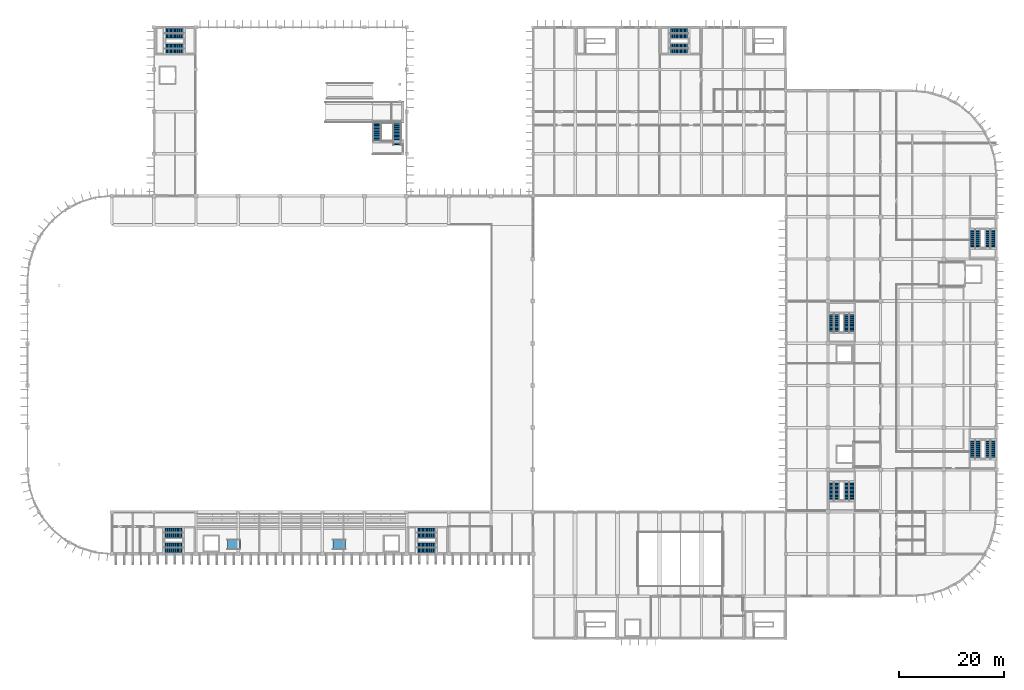
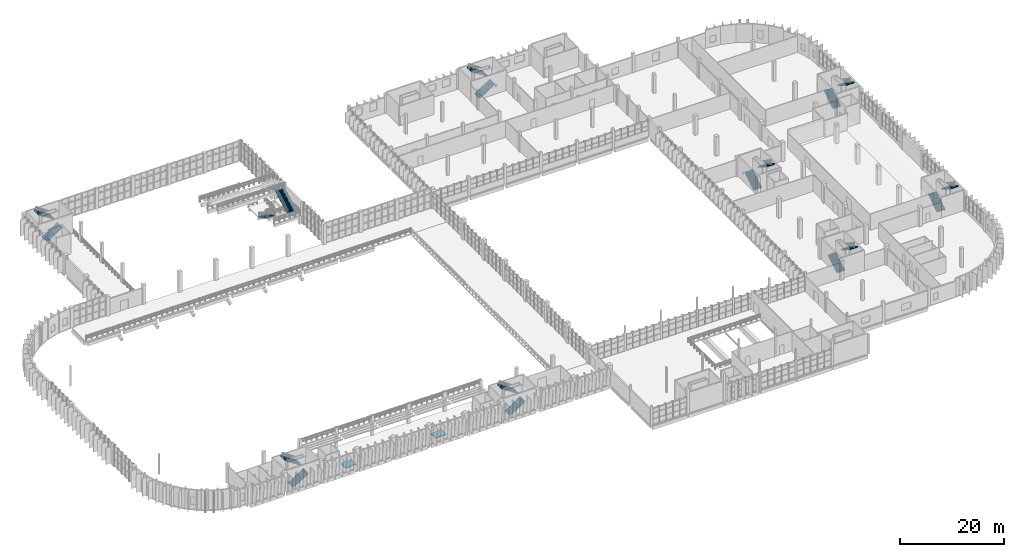
# One storey, part 78 of 93: 18 stair flights, 2 ramp flights, 11 elements without a shape of their own.
"""IFC4 building model written with IfcOpenShell, lengths in metres."""

from ifc_helpers import new_model, si_unit, direction, frame, origin, place, context, subcontext, project, spatial, polyline, outline, extrude, material, layer, layer_set, type_object, element, aggregate, save


model = new_model("IFC4")

# Units and contexts
model_context = context("Model", 3, precision=1e-05, world=origin(), true_north=direction((0.0, 1.0)))
body_context = subcontext(model_context, "Body", "Model", "MODEL_VIEW")
ifc_project = project(units=[si_unit("LENGTHUNIT", "METRE"), si_unit("AREAUNIT", "SQUARE_METRE"), si_unit("VOLUMEUNIT", "CUBIC_METRE"), si_unit("PLANEANGLEUNIT", "RADIAN"), si_unit("MASSUNIT", "GRAM", prefix="KILO")], contexts=[model_context])

# Site, building, storey
site_placement = place(None, origin())
site = spatial("IfcSite", under=ifc_project, at=site_placement, CompositionType="ELEMENT")
building_placement = place(site_placement, origin())
building = spatial("IfcBuilding", under=site, at=building_placement, Name="Drelvana Railside Aquatics Centre", CompositionType="ELEMENT")
storey_placement = place(building_placement, frame((0.0, 0.0, 5.39990234375)))
storey = spatial("IfcBuildingStorey", under=building, at=storey_placement, Name="L01", CompositionType="ELEMENT", Elevation=5.39990234375)

# Stair, stair flights
ifc_material = material(Name="Concrete C40/50", Category="concrete")
stair_type_1 = type_object("IfcStairType", Name="ST-CORE-TYP", PredefinedType="HALF_TURN_STAIR", material=ifc_material)
stair_1_placement = place(storey_placement, origin())
stair_1 = element("IfcStair", 1, at=stair_1_placement, inside=storey, type_object=stair_type_1, Name="Exit stair ST-01 (L01 to L02)", PredefinedType="HALF_TURN_STAIR")
stair_flight_type_1 = type_object("IfcStairFlightType", Name="ST-CORE-TYP-FL", PredefinedType="STRAIGHT", material=ifc_material)
stair_flight_1_placement = place(storey_placement, frame((25.969970703125, 17.175048828125, 0.0), z_axis=(0.0, 0.0, 1.0), x_axis=(1.0, 0.0, 0.0)))
stair_flight_1 = element("IfcStairFlight", 2, at=stair_flight_1_placement, type_object=stair_flight_type_1, Name="ST-TP flight 1", NumberOfRisers=15, NumberOfTreads=14, PredefinedType="STRAIGHT", RiserHeight=0.16, TreadLength=0.25, context=body_context, shape_type="SweptSolid", body=[
    extrude(outline(polyline([(0.0, 0.0), (0.0, 0.159912109375), (0.25, 0.159912109375), (0.25, 0.320068359375), (0.5, 0.320068359375), (0.5, 0.47998046875), (0.75, 0.47998046875), (0.75, 0.639892578125), (1.0, 0.639892578125), (1.0, 0.800048828125), (1.25, 0.800048828125), (1.25, 0.9599609375), (1.5, 0.9599609375), (1.5, 1.1201171875), (1.75, 1.1201171875), (1.75, 1.280029296875), (2.0, 1.280029296875), (2.0, 1.43994140625), (2.25, 1.43994140625), (2.25, 1.60009765625), (2.5, 1.60009765625), (2.5, 1.760009765625), (2.75, 1.760009765625), (2.75, 1.919921875), (3.0, 1.919921875), (3.0, 2.080078125), (3.25, 2.080078125), (3.25, 2.239990234375), (3.5, 2.239990234375), (3.5, 2.39990234375), (3.5, 2.002685546875), (0.370849609375, 0.0), (0.0, 0.0)])), frame((0.0, 0.925048828125, 0.0), z_axis=(0.0, -1.0, 0.0), x_axis=(1.0, 0.0, 0.0)), (0.0, 0.0, 1.0), 1.85009765625),
])
stair_flight_2_placement = place(storey_placement, frame((29.469970703125, 20.02490234375, 2.400146484375), z_axis=(0.0, 0.0, 1.0), x_axis=(-1.0, 0.0, 0.0)))
stair_flight_2 = element("IfcStairFlight", 3, at=stair_flight_2_placement, type_object=stair_flight_type_1, Name="ST-TP flight 2", NumberOfRisers=15, NumberOfTreads=14, PredefinedType="STRAIGHT", RiserHeight=0.16, TreadLength=0.25, context=body_context, shape_type="SweptSolid", body=[
    extrude(outline(polyline([(0.0, 0.0), (0.0, 0.159912109375), (0.25, 0.159912109375), (0.25, 0.320068359375), (0.5, 0.320068359375), (0.5, 0.47998046875), (0.75, 0.47998046875), (0.75, 0.639892578125), (1.0, 0.639892578125), (1.0, 0.800048828125), (1.25, 0.800048828125), (1.25, 0.9599609375), (1.5, 0.9599609375), (1.5, 1.1201171875), (1.75, 1.1201171875), (1.75, 1.280029296875), (2.0, 1.280029296875), (2.0, 1.43994140625), (2.25, 1.43994140625), (2.25, 1.60009765625), (2.5, 1.60009765625), (2.5, 1.760009765625), (2.75, 1.760009765625), (2.75, 1.919921875), (3.0, 1.919921875), (3.0, 2.080078125), (3.25, 2.080078125), (3.25, 2.239990234375), (3.5, 2.239990234375), (3.5, 2.39990234375), (3.5, 2.002685546875), (0.370849609375, 0.0), (0.0, 0.0)])), frame((0.0, 0.925048828125, 0.0), z_axis=(0.0, -1.0, 0.0), x_axis=(1.0, 0.0, 0.0)), (0.0, 0.0, 1.0), 1.85009765625),
])
aggregate(stair_1, [stair_flight_1, stair_flight_2])

stair_2_placement = place(storey_placement, origin())
stair_2 = element("IfcStair", 4, at=stair_2_placement, inside=storey, type_object=stair_type_1, Name="Exit stair ST-02 (L01 to L02)", PredefinedType="HALF_TURN_STAIR")
stair_flight_3_placement = place(storey_placement, frame((73.969970703125, 17.175048828125, 0.0), z_axis=(0.0, 0.0, 1.0), x_axis=(1.0, 0.0, 0.0)))
stair_flight_3 = element("IfcStairFlight", 5, at=stair_flight_3_placement, type_object=stair_flight_type_1, Name="ST-TP flight 1", NumberOfRisers=15, NumberOfTreads=14, PredefinedType="STRAIGHT", RiserHeight=0.16, TreadLength=0.25, context=body_context, shape_type="SweptSolid", body=[
    extrude(outline(polyline([(0.0, 0.0), (0.0, 0.159912109375), (0.25, 0.159912109375), (0.25, 0.320068359375), (0.5, 0.320068359375), (0.5, 0.47998046875), (0.75, 0.47998046875), (0.75, 0.639892578125), (1.0, 0.639892578125), (1.0, 0.800048828125), (1.25, 0.800048828125), (1.25, 0.9599609375), (1.5, 0.9599609375), (1.5, 1.1201171875), (1.75, 1.1201171875), (1.75, 1.280029296875), (2.0, 1.280029296875), (2.0, 1.43994140625), (2.25, 1.43994140625), (2.25, 1.60009765625), (2.5, 1.60009765625), (2.5, 1.760009765625), (2.75, 1.760009765625), (2.75, 1.919921875), (3.0, 1.919921875), (3.0, 2.080078125), (3.25, 2.080078125), (3.25, 2.239990234375), (3.5, 2.239990234375), (3.5, 2.39990234375), (3.5, 2.002685546875), (0.370849609375, 0.0), (0.0, 0.0)])), frame((0.0, 0.925048828125, 0.0), z_axis=(0.0, -1.0, 0.0), x_axis=(1.0, 0.0, 0.0)), (0.0, 0.0, 1.0), 1.85009765625),
])
stair_flight_4_placement = place(storey_placement, frame((77.469970703125, 20.02490234375, 2.400146484375), z_axis=(0.0, 0.0, 1.0), x_axis=(-1.0, 0.0, 0.0)))
stair_flight_4 = element("IfcStairFlight", 6, at=stair_flight_4_placement, type_object=stair_flight_type_1, Name="ST-TP flight 2", NumberOfRisers=15, NumberOfTreads=14, PredefinedType="STRAIGHT", RiserHeight=0.16, TreadLength=0.25, context=body_context, shape_type="SweptSolid", body=[
    extrude(outline(polyline([(0.0, 0.0), (0.0, 0.159912109375), (0.25, 0.159912109375), (0.25, 0.320068359375), (0.5, 0.320068359375), (0.5, 0.47998046875), (0.75, 0.47998046875), (0.75, 0.639892578125), (1.0, 0.639892578125), (1.0, 0.800048828125), (1.25, 0.800048828125), (1.25, 0.9599609375), (1.5, 0.9599609375), (1.5, 1.1201171875), (1.75, 1.1201171875), (1.75, 1.280029296875), (2.0, 1.280029296875), (2.0, 1.43994140625), (2.25, 1.43994140625), (2.25, 1.60009765625), (2.5, 1.60009765625), (2.5, 1.760009765625), (2.75, 1.760009765625), (2.75, 1.919921875), (3.0, 1.919921875), (3.0, 2.080078125), (3.25, 2.080078125), (3.25, 2.239990234375), (3.5, 2.239990234375), (3.5, 2.39990234375), (3.5, 2.002685546875), (0.370849609375, 0.0), (0.0, 0.0)])), frame((0.0, 0.925048828125, 0.0), z_axis=(0.0, -1.0, 0.0), x_axis=(1.0, 0.0, 0.0)), (0.0, 0.0, 1.0), 1.85009765625),
])
aggregate(stair_2, [stair_flight_3, stair_flight_4])

stair_3_placement = place(storey_placement, origin())
stair_3 = element("IfcStair", 7, at=stair_3_placement, inside=storey, type_object=stair_type_1, Name="Exit stair ST-05 (L01 to L02)", PredefinedType="HALF_TURN_STAIR")
stair_flight_5_placement = place(storey_placement, frame((121.969970703125, 111.97509765625, 0.0), z_axis=(0.0, 0.0, 1.0), x_axis=(1.0, 0.0, 0.0)))
stair_flight_5 = element("IfcStairFlight", 8, at=stair_flight_5_placement, type_object=stair_flight_type_1, Name="ST-TP flight 1", NumberOfRisers=15, NumberOfTreads=14, PredefinedType="STRAIGHT", RiserHeight=0.16, TreadLength=0.25, context=body_context, shape_type="SweptSolid", body=[
    extrude(outline(polyline([(0.0, 0.0), (0.0, 0.159912109375), (0.25, 0.159912109375), (0.25, 0.320068359375), (0.5, 0.320068359375), (0.5, 0.47998046875), (0.75, 0.47998046875), (0.75, 0.639892578125), (1.0, 0.639892578125), (1.0, 0.800048828125), (1.25, 0.800048828125), (1.25, 0.9599609375), (1.5, 0.9599609375), (1.5, 1.1201171875), (1.75, 1.1201171875), (1.75, 1.280029296875), (2.0, 1.280029296875), (2.0, 1.43994140625), (2.25, 1.43994140625), (2.25, 1.60009765625), (2.5, 1.60009765625), (2.5, 1.760009765625), (2.75, 1.760009765625), (2.75, 1.919921875), (3.0, 1.919921875), (3.0, 2.080078125), (3.25, 2.080078125), (3.25, 2.239990234375), (3.5, 2.239990234375), (3.5, 2.39990234375), (3.5, 2.002685546875), (0.370849609375, 0.0), (0.0, 0.0)])), frame((0.0, 0.925048828125, 0.0), z_axis=(0.0, -1.0, 0.0), x_axis=(1.0, 0.0, 0.0)), (0.0, 0.0, 1.0), 1.85009765625),
])
stair_flight_6_placement = place(storey_placement, frame((125.469970703125, 114.824951171875, 2.400146484375), z_axis=(0.0, 0.0, 1.0), x_axis=(-1.0, 0.0, 0.0)))
stair_flight_6 = element("IfcStairFlight", 9, at=stair_flight_6_placement, type_object=stair_flight_type_1, Name="ST-TP flight 2", NumberOfRisers=15, NumberOfTreads=14, PredefinedType="STRAIGHT", RiserHeight=0.16, TreadLength=0.25, context=body_context, shape_type="SweptSolid", body=[
    extrude(outline(polyline([(0.0, 0.0), (0.0, 0.159912109375), (0.25, 0.159912109375), (0.25, 0.320068359375), (0.5, 0.320068359375), (0.5, 0.47998046875), (0.75, 0.47998046875), (0.75, 0.639892578125), (1.0, 0.639892578125), (1.0, 0.800048828125), (1.25, 0.800048828125), (1.25, 0.9599609375), (1.5, 0.9599609375), (1.5, 1.1201171875), (1.75, 1.1201171875), (1.75, 1.280029296875), (2.0, 1.280029296875), (2.0, 1.43994140625), (2.25, 1.43994140625), (2.25, 1.60009765625), (2.5, 1.60009765625), (2.5, 1.760009765625), (2.75, 1.760009765625), (2.75, 1.919921875), (3.0, 1.919921875), (3.0, 2.080078125), (3.25, 2.080078125), (3.25, 2.239990234375), (3.5, 2.239990234375), (3.5, 2.39990234375), (3.5, 2.002685546875), (0.370849609375, 0.0), (0.0, 0.0)])), frame((0.0, 0.925048828125, 0.0), z_axis=(0.0, -1.0, 0.0), x_axis=(1.0, 0.0, 0.0)), (0.0, 0.0, 1.0), 1.85009765625),
])
aggregate(stair_3, [stair_flight_5, stair_flight_6])

stair_type_2 = type_object("IfcStairType", Name="ST-CORE-W160", PredefinedType="HALF_TURN_STAIR", material=ifc_material)
stair_4_placement = place(storey_placement, origin())
stair_4 = element("IfcStair", 10, at=stair_4_placement, inside=storey, type_object=stair_type_2, Name="Exit stair ST-03 (L01 to L02)", PredefinedType="HALF_TURN_STAIR")
stair_flight_type_2 = type_object("IfcStairFlightType", Name="ST-CORE-W160-FL", PredefinedType="STRAIGHT", material=ifc_material)
stair_flight_7_placement = place(storey_placement, frame((26.1201171875, 111.949951171875, 0.0), z_axis=(0.0, 0.0, 1.0), x_axis=(1.0, 0.0, 0.0)))
stair_flight_7 = element("IfcStairFlight", 11, at=stair_flight_7_placement, type_object=stair_flight_type_2, Name="ST-NR flight 1", NumberOfRisers=15, NumberOfTreads=14, PredefinedType="STRAIGHT", RiserHeight=0.16, TreadLength=0.25, context=body_context, shape_type="SweptSolid", body=[
    extrude(outline(polyline([(0.0, 0.0), (0.0, 0.159912109375), (0.25, 0.159912109375), (0.25, 0.320068359375), (0.5, 0.320068359375), (0.5, 0.47998046875), (0.75, 0.47998046875), (0.75, 0.639892578125), (1.0, 0.639892578125), (1.0, 0.800048828125), (1.25, 0.800048828125), (1.25, 0.9599609375), (1.5, 0.9599609375), (1.5, 1.1201171875), (1.75, 1.1201171875), (1.75, 1.280029296875), (2.0, 1.280029296875), (2.0, 1.43994140625), (2.25, 1.43994140625), (2.25, 1.60009765625), (2.5, 1.60009765625), (2.5, 1.760009765625), (2.75, 1.760009765625), (2.75, 1.919921875), (3.0, 1.919921875), (3.0, 2.080078125), (3.25, 2.080078125), (3.25, 2.239990234375), (3.5, 2.239990234375), (3.5, 2.39990234375), (3.5, 2.002685546875), (0.370849609375, 0.0), (0.0, 0.0)])), frame((0.0, 0.89990234375, 0.0), z_axis=(0.0, -1.0, 0.0), x_axis=(1.0, 0.0, 0.0)), (0.0, 0.0, 1.0), 1.800048828125),
])
stair_flight_8_placement = place(storey_placement, frame((29.6201171875, 114.85009765625, 2.400146484375), z_axis=(0.0, 0.0, 1.0), x_axis=(-1.0, 0.0, 0.0)))
stair_flight_8 = element("IfcStairFlight", 12, at=stair_flight_8_placement, type_object=stair_flight_type_2, Name="ST-NR flight 2", NumberOfRisers=15, NumberOfTreads=14, PredefinedType="STRAIGHT", RiserHeight=0.16, TreadLength=0.25, context=body_context, shape_type="SweptSolid", body=[
    extrude(outline(polyline([(0.0, 0.0), (0.0, 0.159912109375), (0.25, 0.159912109375), (0.25, 0.320068359375), (0.5, 0.320068359375), (0.5, 0.47998046875), (0.75, 0.47998046875), (0.75, 0.639892578125), (1.0, 0.639892578125), (1.0, 0.800048828125), (1.25, 0.800048828125), (1.25, 0.9599609375), (1.5, 0.9599609375), (1.5, 1.1201171875), (1.75, 1.1201171875), (1.75, 1.280029296875), (2.0, 1.280029296875), (2.0, 1.43994140625), (2.25, 1.43994140625), (2.25, 1.60009765625), (2.5, 1.60009765625), (2.5, 1.760009765625), (2.75, 1.760009765625), (2.75, 1.919921875), (3.0, 1.919921875), (3.0, 2.080078125), (3.25, 2.080078125), (3.25, 2.239990234375), (3.5, 2.239990234375), (3.5, 2.39990234375), (3.5, 2.002685546875), (0.370849609375, 0.0), (0.0, 0.0)])), frame((0.0, 0.89990234375, 0.0), z_axis=(0.0, -1.0, 0.0), x_axis=(1.0, 0.0, 0.0)), (0.0, 0.0, 1.0), 1.800048828125),
])
aggregate(stair_4, [stair_flight_7, stair_flight_8])

stair_5_placement = place(storey_placement, origin())
stair_5 = element("IfcStair", 13, at=stair_5_placement, inside=storey, type_object=stair_type_2, Name="Exit stair ST-06 (L01 to L02)", PredefinedType="HALF_TURN_STAIR")
stair_flight_9_placement = place(storey_placement, frame((153.14990234375, 26.14990234375, 0.0), z_axis=(0.0, 0.0, 1.0), x_axis=(0.0, 1.0, 0.0)))
stair_flight_9 = element("IfcStairFlight", 14, at=stair_flight_9_placement, type_object=stair_flight_type_2, Name="ST-NR flight 1", NumberOfRisers=15, NumberOfTreads=14, PredefinedType="STRAIGHT", RiserHeight=0.16, TreadLength=0.25, context=body_context, shape_type="SweptSolid", body=[
    extrude(outline(polyline([(0.0, 0.0), (0.0, 0.159912109375), (0.25, 0.159912109375), (0.25, 0.320068359375), (0.5, 0.320068359375), (0.5, 0.47998046875), (0.75, 0.47998046875), (0.75, 0.639892578125), (1.0, 0.639892578125), (1.0, 0.800048828125), (1.25, 0.800048828125), (1.25, 0.9599609375), (1.5, 0.9599609375), (1.5, 1.1201171875), (1.75, 1.1201171875), (1.75, 1.280029296875), (2.0, 1.280029296875), (2.0, 1.43994140625), (2.25, 1.43994140625), (2.25, 1.60009765625), (2.5, 1.60009765625), (2.5, 1.760009765625), (2.75, 1.760009765625), (2.75, 1.919921875), (3.0, 1.919921875), (3.0, 2.080078125), (3.25, 2.080078125), (3.25, 2.239990234375), (3.5, 2.239990234375), (3.5, 2.39990234375), (3.5, 2.002685546875), (0.370849609375, 0.0), (0.0, 0.0)])), frame((0.0, 0.89990234375, 0.0), z_axis=(0.0, -1.0, 0.0), x_axis=(1.0, 0.0, 0.0)), (0.0, 0.0, 1.0), 1.800048828125),
])
stair_flight_10_placement = place(storey_placement, frame((156.050048828125, 29.64990234375, 2.400146484375), z_axis=(0.0, 0.0, 1.0), x_axis=(0.0, -1.0, 0.0)))
stair_flight_10 = element("IfcStairFlight", 15, at=stair_flight_10_placement, type_object=stair_flight_type_2, Name="ST-NR flight 2", NumberOfRisers=15, NumberOfTreads=14, PredefinedType="STRAIGHT", RiserHeight=0.16, TreadLength=0.25, context=body_context, shape_type="SweptSolid", body=[
    extrude(outline(polyline([(0.0, 0.0), (0.0, 0.159912109375), (0.25, 0.159912109375), (0.25, 0.320068359375), (0.5, 0.320068359375), (0.5, 0.47998046875), (0.75, 0.47998046875), (0.75, 0.639892578125), (1.0, 0.639892578125), (1.0, 0.800048828125), (1.25, 0.800048828125), (1.25, 0.9599609375), (1.5, 0.9599609375), (1.5, 1.1201171875), (1.75, 1.1201171875), (1.75, 1.280029296875), (2.0, 1.280029296875), (2.0, 1.43994140625), (2.25, 1.43994140625), (2.25, 1.60009765625), (2.5, 1.60009765625), (2.5, 1.760009765625), (2.75, 1.760009765625), (2.75, 1.919921875), (3.0, 1.919921875), (3.0, 2.080078125), (3.25, 2.080078125), (3.25, 2.239990234375), (3.5, 2.239990234375), (3.5, 2.39990234375), (3.5, 2.002685546875), (0.370849609375, 0.0), (0.0, 0.0)])), frame((0.0, 0.89990234375, 0.0), z_axis=(0.0, -1.0, 0.0), x_axis=(1.0, 0.0, 0.0)), (0.0, 0.0, 1.0), 1.800048828125),
])
aggregate(stair_5, [stair_flight_9, stair_flight_10])

stair_6_placement = place(storey_placement, origin())
stair_6 = element("IfcStair", 16, at=stair_6_placement, inside=storey, type_object=stair_type_2, Name="Exit stair ST-07 (L01 to L02)", PredefinedType="HALF_TURN_STAIR")
stair_flight_11_placement = place(storey_placement, frame((179.949951171875, 74.090087890625, 0.0), z_axis=(0.0, 0.0, 1.0), x_axis=(0.0, 1.0, 0.0)))
stair_flight_11 = element("IfcStairFlight", 17, at=stair_flight_11_placement, type_object=stair_flight_type_2, Name="ST-NR flight 1", NumberOfRisers=15, NumberOfTreads=14, PredefinedType="STRAIGHT", RiserHeight=0.16, TreadLength=0.25, context=body_context, shape_type="SweptSolid", body=[
    extrude(outline(polyline([(0.0, 0.0), (0.0, 0.159912109375), (0.25, 0.159912109375), (0.25, 0.320068359375), (0.5, 0.320068359375), (0.5, 0.47998046875), (0.75, 0.47998046875), (0.75, 0.639892578125), (1.0, 0.639892578125), (1.0, 0.800048828125), (1.25, 0.800048828125), (1.25, 0.9599609375), (1.5, 0.9599609375), (1.5, 1.1201171875), (1.75, 1.1201171875), (1.75, 1.280029296875), (2.0, 1.280029296875), (2.0, 1.43994140625), (2.25, 1.43994140625), (2.25, 1.60009765625), (2.5, 1.60009765625), (2.5, 1.760009765625), (2.75, 1.760009765625), (2.75, 1.919921875), (3.0, 1.919921875), (3.0, 2.080078125), (3.25, 2.080078125), (3.25, 2.239990234375), (3.5, 2.239990234375), (3.5, 2.39990234375), (3.5, 2.002685546875), (0.370849609375, 0.0), (0.0, 0.0)])), frame((0.0, 0.89990234375, 0.0), z_axis=(0.0, -1.0, 0.0), x_axis=(1.0, 0.0, 0.0)), (0.0, 0.0, 1.0), 1.800048828125),
])
stair_flight_12_placement = place(storey_placement, frame((182.85009765625, 77.590087890625, 2.400146484375), z_axis=(0.0, 0.0, 1.0), x_axis=(0.0, -1.0, 0.0)))
stair_flight_12 = element("IfcStairFlight", 18, at=stair_flight_12_placement, type_object=stair_flight_type_2, Name="ST-NR flight 2", NumberOfRisers=15, NumberOfTreads=14, PredefinedType="STRAIGHT", RiserHeight=0.16, TreadLength=0.25, context=body_context, shape_type="SweptSolid", body=[
    extrude(outline(polyline([(0.0, 0.0), (0.0, 0.159912109375), (0.25, 0.159912109375), (0.25, 0.320068359375), (0.5, 0.320068359375), (0.5, 0.47998046875), (0.75, 0.47998046875), (0.75, 0.639892578125), (1.0, 0.639892578125), (1.0, 0.800048828125), (1.25, 0.800048828125), (1.25, 0.9599609375), (1.5, 0.9599609375), (1.5, 1.1201171875), (1.75, 1.1201171875), (1.75, 1.280029296875), (2.0, 1.280029296875), (2.0, 1.43994140625), (2.25, 1.43994140625), (2.25, 1.60009765625), (2.5, 1.60009765625), (2.5, 1.760009765625), (2.75, 1.760009765625), (2.75, 1.919921875), (3.0, 1.919921875), (3.0, 2.080078125), (3.25, 2.080078125), (3.25, 2.239990234375), (3.5, 2.239990234375), (3.5, 2.39990234375), (3.5, 2.002685546875), (0.370849609375, 0.0), (0.0, 0.0)])), frame((0.0, 0.89990234375, 0.0), z_axis=(0.0, -1.0, 0.0), x_axis=(1.0, 0.0, 0.0)), (0.0, 0.0, 1.0), 1.800048828125),
])
aggregate(stair_6, [stair_flight_11, stair_flight_12])

stair_type_3 = type_object("IfcStairType", Name="ST-CORE-W170", PredefinedType="HALF_TURN_STAIR", material=ifc_material)
stair_7_placement = place(storey_placement, origin())
stair_7 = element("IfcStair", 19, at=stair_7_placement, inside=storey, type_object=stair_type_3, Name="Exit stair ST-08 (L01 to L02)", PredefinedType="HALF_TURN_STAIR")
stair_flight_type_3 = type_object("IfcStairFlightType", Name="ST-CORE-W170-FL", PredefinedType="STRAIGHT", material=ifc_material)
stair_flight_13_placement = place(storey_placement, frame((153.159912109375, 58.090087890625, 0.0), z_axis=(0.0, 0.0, 1.0), x_axis=(0.0, 1.0, 0.0)))
stair_flight_13 = element("IfcStairFlight", 20, at=stair_flight_13_placement, type_object=stair_flight_type_3, Name="ST-WD flight 1", NumberOfRisers=15, NumberOfTreads=14, PredefinedType="STRAIGHT", RiserHeight=0.16, TreadLength=0.25, context=body_context, shape_type="SweptSolid", body=[
    extrude(outline(polyline([(0.0, 0.0), (0.0, 0.159912109375), (0.25, 0.159912109375), (0.25, 0.320068359375), (0.5, 0.320068359375), (0.5, 0.47998046875), (0.75, 0.47998046875), (0.75, 0.639892578125), (1.0, 0.639892578125), (1.0, 0.800048828125), (1.25, 0.800048828125), (1.25, 0.9599609375), (1.5, 0.9599609375), (1.5, 1.1201171875), (1.75, 1.1201171875), (1.75, 1.280029296875), (2.0, 1.280029296875), (2.0, 1.43994140625), (2.25, 1.43994140625), (2.25, 1.60009765625), (2.5, 1.60009765625), (2.5, 1.760009765625), (2.75, 1.760009765625), (2.75, 1.919921875), (3.0, 1.919921875), (3.0, 2.080078125), (3.25, 2.080078125), (3.25, 2.239990234375), (3.5, 2.239990234375), (3.5, 2.39990234375), (3.5, 2.002685546875), (0.370849609375, 0.0), (0.0, 0.0)])), frame((0.0, 0.91015625, 0.0), z_axis=(0.0, -1.0, 0.0), x_axis=(1.0, 0.0, 0.0)), (0.0, 0.0, 1.0), 1.820068359375),
])
stair_flight_14_placement = place(storey_placement, frame((156.0400390625, 61.590087890625, 2.400146484375), z_axis=(0.0, 0.0, 1.0), x_axis=(0.0, -1.0, 0.0)))
stair_flight_14 = element("IfcStairFlight", 21, at=stair_flight_14_placement, type_object=stair_flight_type_3, Name="ST-WD flight 2", NumberOfRisers=15, NumberOfTreads=14, PredefinedType="STRAIGHT", RiserHeight=0.16, TreadLength=0.25, context=body_context, shape_type="SweptSolid", body=[
    extrude(outline(polyline([(0.0, 0.0), (0.0, 0.159912109375), (0.25, 0.159912109375), (0.25, 0.320068359375), (0.5, 0.320068359375), (0.5, 0.47998046875), (0.75, 0.47998046875), (0.75, 0.639892578125), (1.0, 0.639892578125), (1.0, 0.800048828125), (1.25, 0.800048828125), (1.25, 0.9599609375), (1.5, 0.9599609375), (1.5, 1.1201171875), (1.75, 1.1201171875), (1.75, 1.280029296875), (2.0, 1.280029296875), (2.0, 1.43994140625), (2.25, 1.43994140625), (2.25, 1.60009765625), (2.5, 1.60009765625), (2.5, 1.760009765625), (2.75, 1.760009765625), (2.75, 1.919921875), (3.0, 1.919921875), (3.0, 2.080078125), (3.25, 2.080078125), (3.25, 2.239990234375), (3.5, 2.239990234375), (3.5, 2.39990234375), (3.5, 2.002685546875), (0.370849609375, 0.0), (0.0, 0.0)])), frame((0.0, 0.91015625, 0.0), z_axis=(0.0, -1.0, 0.0), x_axis=(1.0, 0.0, 0.0)), (0.0, 0.0, 1.0), 1.820068359375),
])
aggregate(stair_7, [stair_flight_13, stair_flight_14])

stair_8_placement = place(storey_placement, origin())
stair_8 = element("IfcStair", 22, at=stair_8_placement, inside=storey, type_object=stair_type_3, Name="Exit stair ST-09 (L01 to L02)", PredefinedType="HALF_TURN_STAIR")
stair_flight_15_placement = place(storey_placement, frame((179.9599609375, 34.090087890625, 0.0), z_axis=(0.0, 0.0, 1.0), x_axis=(0.0, 1.0, 0.0)))
stair_flight_15 = element("IfcStairFlight", 23, at=stair_flight_15_placement, type_object=stair_flight_type_3, Name="ST-WD flight 1", NumberOfRisers=15, NumberOfTreads=14, PredefinedType="STRAIGHT", RiserHeight=0.16, TreadLength=0.25, context=body_context, shape_type="SweptSolid", body=[
    extrude(outline(polyline([(0.0, 0.0), (0.0, 0.159912109375), (0.25, 0.159912109375), (0.25, 0.320068359375), (0.5, 0.320068359375), (0.5, 0.47998046875), (0.75, 0.47998046875), (0.75, 0.639892578125), (1.0, 0.639892578125), (1.0, 0.800048828125), (1.25, 0.800048828125), (1.25, 0.9599609375), (1.5, 0.9599609375), (1.5, 1.1201171875), (1.75, 1.1201171875), (1.75, 1.280029296875), (2.0, 1.280029296875), (2.0, 1.43994140625), (2.25, 1.43994140625), (2.25, 1.60009765625), (2.5, 1.60009765625), (2.5, 1.760009765625), (2.75, 1.760009765625), (2.75, 1.919921875), (3.0, 1.919921875), (3.0, 2.080078125), (3.25, 2.080078125), (3.25, 2.239990234375), (3.5, 2.239990234375), (3.5, 2.39990234375), (3.5, 2.002685546875), (0.370849609375, 0.0), (0.0, 0.0)])), frame((0.0, 0.91015625, 0.0), z_axis=(0.0, -1.0, 0.0), x_axis=(1.0, 0.0, 0.0)), (0.0, 0.0, 1.0), 1.820068359375),
])
stair_flight_16_placement = place(storey_placement, frame((182.840087890625, 37.590087890625, 2.400146484375), z_axis=(0.0, 0.0, 1.0), x_axis=(0.0, -1.0, 0.0)))
stair_flight_16 = element("IfcStairFlight", 24, at=stair_flight_16_placement, type_object=stair_flight_type_3, Name="ST-WD flight 2", NumberOfRisers=15, NumberOfTreads=14, PredefinedType="STRAIGHT", RiserHeight=0.16, TreadLength=0.25, context=body_context, shape_type="SweptSolid", body=[
    extrude(outline(polyline([(0.0, 0.0), (0.0, 0.159912109375), (0.25, 0.159912109375), (0.25, 0.320068359375), (0.5, 0.320068359375), (0.5, 0.47998046875), (0.75, 0.47998046875), (0.75, 0.639892578125), (1.0, 0.639892578125), (1.0, 0.800048828125), (1.25, 0.800048828125), (1.25, 0.9599609375), (1.5, 0.9599609375), (1.5, 1.1201171875), (1.75, 1.1201171875), (1.75, 1.280029296875), (2.0, 1.280029296875), (2.0, 1.43994140625), (2.25, 1.43994140625), (2.25, 1.60009765625), (2.5, 1.60009765625), (2.5, 1.760009765625), (2.75, 1.760009765625), (2.75, 1.919921875), (3.0, 1.919921875), (3.0, 2.080078125), (3.25, 2.080078125), (3.25, 2.239990234375), (3.5, 2.239990234375), (3.5, 2.39990234375), (3.5, 2.002685546875), (0.370849609375, 0.0), (0.0, 0.0)])), frame((0.0, 0.91015625, 0.0), z_axis=(0.0, -1.0, 0.0), x_axis=(1.0, 0.0, 0.0)), (0.0, 0.0, 1.0), 1.820068359375),
])
aggregate(stair_8, [stair_flight_15, stair_flight_16])

stair_type_4 = type_object("IfcStairType", Name="ST-DIVE-2", PredefinedType="HALF_TURN_STAIR", material=ifc_material)
stair_9_placement = place(storey_placement, origin())
stair_9 = element("IfcStair", 25, at=stair_9_placement, inside=storey, type_object=stair_type_4, Name="Diving tower stair ST-DV2", PredefinedType="HALF_TURN_STAIR")
stair_flight_type_4 = type_object("IfcStairFlightType", Name="ST-DIVE-2-FL", PredefinedType="STRAIGHT", material=ifc_material)
stair_flight_17_placement = place(storey_placement, frame((66.39990234375, 97.860107421875, 0.0), z_axis=(0.0, 0.0, 1.0), x_axis=(0.0, -1.0, 0.0)))
stair_flight_17 = element("IfcStairFlight", 26, at=stair_flight_17_placement, type_object=stair_flight_type_4, Name="ST-DV2 flight 1", NumberOfRisers=14, NumberOfTreads=13, PredefinedType="STRAIGHT", RiserHeight=0.15, TreadLength=0.27, context=body_context, shape_type="SweptSolid", body=[
    extrude(outline(polyline([(0.0, 0.0), (0.0, 0.14990234375), (0.27001953125, 0.14990234375), (0.27001953125, 0.300048828125), (0.5400390625, 0.300048828125), (0.5400390625, 0.449951171875), (0.81005859375, 0.449951171875), (0.81005859375, 0.60009765625), (1.080078125, 0.60009765625), (1.080078125, 0.75), (1.35009765625, 0.75), (1.35009765625, 0.89990234375), (1.6201171875, 0.89990234375), (1.6201171875, 1.050048828125), (1.889892578125, 1.050048828125), (1.889892578125, 1.199951171875), (2.159912109375, 1.199951171875), (2.159912109375, 1.35009765625), (2.429931640625, 1.35009765625), (2.429931640625, 1.5), (2.699951171875, 1.5), (2.699951171875, 1.64990234375), (2.969970703125, 1.64990234375), (2.969970703125, 1.800048828125), (3.239990234375, 1.800048828125), (3.239990234375, 1.949951171875), (3.510009765625, 1.949951171875), (3.510009765625, 2.10009765625), (3.510009765625, 1.72119140625), (0.41162109375, 0.0), (0.0, 0.0)])), frame((0.0, 0.780029296875, 0.0), z_axis=(0.0, -1.0, 0.0), x_axis=(1.0, 0.0, 0.0)), (0.0, 0.0, 1.0), 1.56005859375),
])
stair_flight_18_placement = place(storey_placement, frame((70.199951171875, 93.610107421875, 2.10009765625), z_axis=(0.0, 0.0, 1.0), x_axis=(0.0, 1.0, 0.0)))
stair_flight_18 = element("IfcStairFlight", 27, at=stair_flight_18_placement, type_object=stair_flight_type_4, Name="ST-DV2 flight 2", NumberOfRisers=18, NumberOfTreads=17, PredefinedType="STRAIGHT", RiserHeight=0.15, TreadLength=0.27, context=body_context, shape_type="SweptSolid", body=[
    extrude(outline(polyline([(0.0, 0.0), (0.0, 0.14990234375), (0.27001953125, 0.14990234375), (0.27001953125, 0.300048828125), (0.5400390625, 0.300048828125), (0.5400390625, 0.449951171875), (0.81005859375, 0.449951171875), (0.81005859375, 0.60009765625), (1.080078125, 0.60009765625), (1.080078125, 0.75), (1.35009765625, 0.75), (1.35009765625, 0.89990234375), (1.6201171875, 0.89990234375), (1.6201171875, 1.050048828125), (1.889892578125, 1.050048828125), (1.889892578125, 1.199951171875), (2.159912109375, 1.199951171875), (2.159912109375, 1.35009765625), (2.429931640625, 1.35009765625), (2.429931640625, 1.5), (2.699951171875, 1.5), (2.699951171875, 1.64990234375), (2.969970703125, 1.64990234375), (2.969970703125, 1.800048828125), (3.239990234375, 1.800048828125), (3.239990234375, 1.949951171875), (3.510009765625, 1.949951171875), (3.510009765625, 2.10009765625), (3.780029296875, 2.10009765625), (3.780029296875, 2.25), (4.050048828125, 2.25), (4.050048828125, 2.39990234375), (4.320068359375, 2.39990234375), (4.320068359375, 2.550048828125), (4.590087890625, 2.550048828125), (4.590087890625, 2.699951171875), (4.590087890625, 2.3212890625), (0.41162109375, 0.0), (0.0, 0.0)])), frame((0.0, 0.780029296875, 0.0), z_axis=(0.0, -1.0, 0.0), x_axis=(1.0, 0.0, 0.0)), (0.0, 0.0, 1.0), 1.56005859375),
])
aggregate(stair_9, [stair_flight_17, stair_flight_18])

# Ramp, ramp flight
ifc_layer_1 = layer(ifc_material, 0.199951171875, Name="Concrete C40/50")
ifc_layer_set_1 = layer_set([ifc_layer_1], Name="Concrete C40/50")
ramp_type = type_object("IfcRampType", Name="RMP-ACC-1800", PredefinedType="STRAIGHT_RUN_RAMP", material=ifc_layer_set_1)
ramp_1_placement = place(storey_placement, origin())
ramp_1 = element("IfcRamp", 28, at=ramp_1_placement, inside=storey, type_object=ramp_type, Name="Accessible step-free ramp RMP-WC-CONC-1", PredefinedType="STRAIGHT_RUN_RAMP")
ifc_layer_2 = layer(ifc_material, 0.199951171875, Name="Concrete C40/50")
ifc_layer_set_2 = layer_set([ifc_layer_2], Name="Concrete C40/50")
ramp_flight_type = type_object("IfcRampFlightType", Name="RMP-ACC-1800-FL", PredefinedType="STRAIGHT", material=ifc_layer_set_2)
ramp_flight_1_placement = place(storey_placement, frame((38.0, 16.89990234375, 0.0), z_axis=(-0.049988291303, 0.0, 0.998749803871), x_axis=(0.998749803871, 0.0, 0.049988291303)))
ramp_flight_1 = element("IfcRampFlight", 29, at=ramp_flight_1_placement, type_object=ramp_flight_type, Name="RM-01 flight 1", PredefinedType="STRAIGHT", context=body_context, shape_type="SweptSolid", body=[
    extrude(outline(polyline([(0.0, 0.0), (2.4029064480894076, 0.0), (2.4029064480894076, 1.800048828125), (0.0, 1.800048828125), (0.0, 0.0)])), origin(), (0.0, 0.0, -1.0), 0.179931640625),
])
aggregate(ramp_1, [ramp_flight_1])

ramp_2_placement = place(storey_placement, origin())
ramp_2 = element("IfcRamp", 30, at=ramp_2_placement, inside=storey, type_object=ramp_type, Name="Accessible step-free ramp RMP-WC-CONC-2", PredefinedType="STRAIGHT_RUN_RAMP")
ramp_flight_2_placement = place(storey_placement, frame((58.0, 16.89990234375, 0.0), z_axis=(-0.049988291303, 0.0, 0.998749803871), x_axis=(0.998749803871, 0.0, 0.049988291303)))
ramp_flight_2 = element("IfcRampFlight", 31, at=ramp_flight_2_placement, type_object=ramp_flight_type, Name="RM-01 flight 1", PredefinedType="STRAIGHT", context=body_context, shape_type="SweptSolid", body=[
    extrude(outline(polyline([(0.0, 0.0), (2.4029064480894076, 0.0), (2.4029064480894076, 1.800048828125), (0.0, 1.800048828125), (0.0, 0.0)])), origin(), (0.0, 0.0, -1.0), 0.179931640625),
])
aggregate(ramp_2, [ramp_flight_2])

save(model, "model.ifc")
